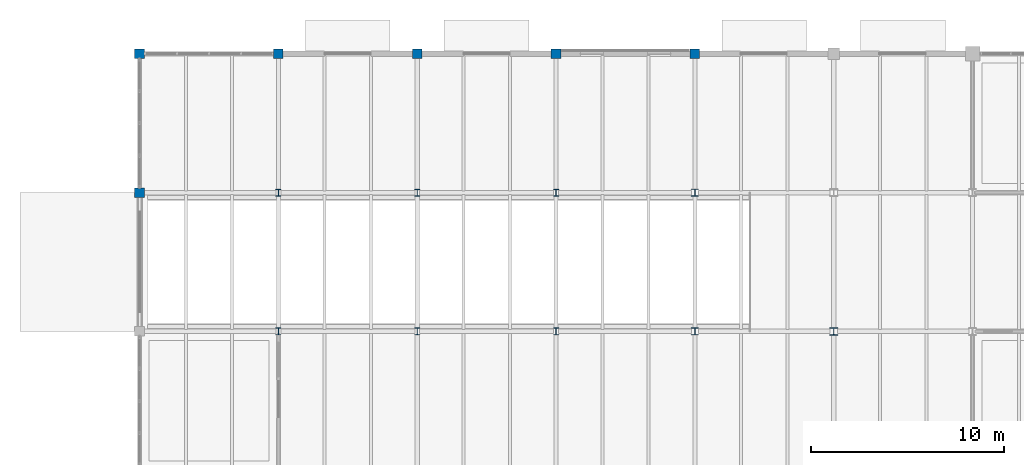
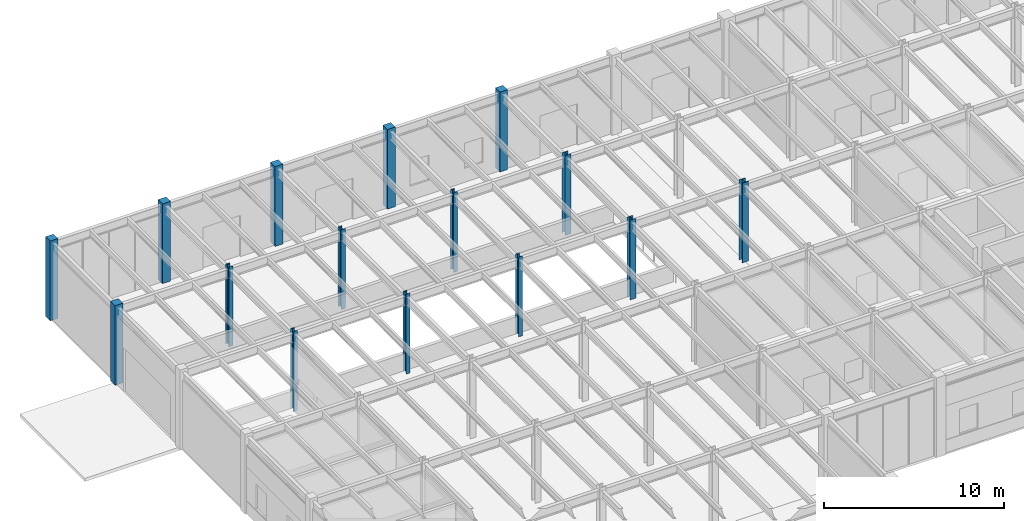
# One storey, part 11 of 97: 15 columns.
"""IFC4 building model written with IfcOpenShell, lengths in metres."""

from ifc_helpers import new_model, si_unit, direction, frame, origin, origin_2d, place, context, subcontext, project, spatial, rectangle, i_section, extrude, material, material_profile, profile_set, type_object, element, save


model = new_model("IFC4")

# Units and contexts
model_context = context("Model", 3, precision=1e-05, world=origin(), true_north=direction((0.0, 1.0)))
body_context = subcontext(model_context, "Body", "Model", "MODEL_VIEW")
ifc_project = project(units=[si_unit("LENGTHUNIT", "METRE"), si_unit("AREAUNIT", "SQUARE_METRE"), si_unit("VOLUMEUNIT", "CUBIC_METRE"), si_unit("PLANEANGLEUNIT", "RADIAN"), si_unit("MASSUNIT", "GRAM", prefix="KILO")], contexts=[model_context])

# Site, building, storey
site_placement = place(None, origin())
site = spatial("IfcSite", under=ifc_project, at=site_placement, CompositionType="ELEMENT")
building_placement = place(site_placement, origin())
building = spatial("IfcBuilding", under=site, at=building_placement, Name="Sillqori Civic Hall", CompositionType="ELEMENT")
storey_placement = place(building_placement, origin())
storey = spatial("IfcBuildingStorey", under=building, at=storey_placement, Name="L01", CompositionType="ELEMENT", Elevation=0.0)

# Columns
ifc_material_1 = material(Name="Concrete C35/45 (H35)", Category="concrete")
ifc_material_profile_1 = material_profile(ifc_material_1, rectangle(XDim=0.5, YDim=0.5, at=origin_2d()), Name="RC 500x500")
ifc_profile_set_1 = profile_set([ifc_material_profile_1], Name="Concrete C35/45 (H35)")
column_type_1 = type_object("IfcColumnType", Name="COL-RC500", PredefinedType="COLUMN", material=ifc_profile_set_1)
for number, where, z_axis, x_axis, name in (
    (1, (7.199951171875, 108.0, 0.0), (0.0, 0.0, 1.0), (1.0, 0.0, 0.0), "L01 column 1-15"),
    (2, (7.199951171875, 115.199951171875, 0.0), (0.0, 0.0, 1.0), (1.0, 0.0, 0.0), "L01 column 1-16"),
    (3, (14.39990234375, 115.199951171875, 0.0), (0.0, 0.0, 1.0), (1.0, 0.0, 0.0), "L01 column 2-16"),
    (4, (21.60009765625, 115.199951171875, 0.0), (0.0, 0.0, 1.0), (1.0, 0.0, 0.0), "L01 column 3-16"),
    (5, (28.800048828125, 115.199951171875, 0.0), (0.0, 0.0, 1.0), (1.0, 0.0, 0.0), "L01 column 4-16"),
    (6, (36.0, 115.199951171875, 0.0), (0.0, 0.0, 1.0), (1.0, 0.0, 0.0), "L01 column 5-16"),
):
    element("IfcColumn", number, at=place(storey_placement, frame(where, z_axis=z_axis, x_axis=x_axis)), inside=storey, type_object=column_type_1, Name=name, PredefinedType="COLUMN", context=body_context, shape_type="SweptSolid", body=[
        extrude(rectangle(XDim=0.5, YDim=0.5, at=origin_2d()), origin(), (0.0, 0.0, 1.0), 5.39990234375),
    ])
ifc_material_2 = material(Name="Steel ASTM A992", Category="steel")
ifc_material_profile_2 = material_profile(ifc_material_2, i_section(OverallWidth=0.39892578125, OverallDepth=0.385986328125, WebThickness=0.02099609375, FlangeThickness=0.033203125, FilletRadius=0.014892578125, at=origin_2d()), Name="W14X176")
ifc_profile_set_2 = profile_set([ifc_material_profile_2], Name="Steel ASTM A992")
column_type_2 = type_object("IfcColumnType", Name="COL-W14X176", PredefinedType="COLUMN", material=ifc_profile_set_2)
column_placement = place(storey_placement, frame((43.199951171875, 100.800048828125, 0.0), z_axis=(0.0, 0.0, 1.0), x_axis=(1.0, 0.0, 0.0)))
element("IfcColumn", 7, at=column_placement, inside=storey, type_object=column_type_2, Name="L01 column 6-14", PredefinedType="COLUMN", context=body_context, shape_type="SweptSolid", body=[
    extrude(i_section(OverallWidth=0.39892578125, OverallDepth=0.385986328125, WebThickness=0.02099609375, FlangeThickness=0.033203125, FilletRadius=0.014892578125, at=origin_2d()), origin(), (0.0, 0.0, 1.0), 5.39990234375),
])
ifc_material_profile_3 = material_profile(ifc_material_2, i_section(OverallWidth=0.257080078125, OverallDepth=0.363037109375, WebThickness=0.012939453125, FlangeThickness=0.021728515625, FilletRadius=0.014892578125, at=origin_2d()), Name="W14X82")
ifc_profile_set_3 = profile_set([ifc_material_profile_3], Name="Steel ASTM A992")
column_type_3 = type_object("IfcColumnType", Name="COL-W14X82", PredefinedType="COLUMN", material=ifc_profile_set_3)
for number, where, z_axis, x_axis, name in (
    (8, (14.39990234375, 100.800048828125, 0.0), (0.0, 0.0, 1.0), (1.0, 0.0, 0.0), "L01 column 2-14"),
    (9, (14.39990234375, 108.0, 0.0), (0.0, 0.0, 1.0), (1.0, 0.0, 0.0), "L01 column 2-15"),
    (10, (21.60009765625, 100.800048828125, 0.0), (0.0, 0.0, 1.0), (1.0, 0.0, 0.0), "L01 column 3-14"),
    (11, (21.60009765625, 108.0, 0.0), (0.0, 0.0, 1.0), (1.0, 0.0, 0.0), "L01 column 3-15"),
    (12, (28.800048828125, 100.800048828125, 0.0), (0.0, 0.0, 1.0), (1.0, 0.0, 0.0), "L01 column 4-14"),
    (13, (28.800048828125, 108.0, 0.0), (0.0, 0.0, 1.0), (1.0, 0.0, 0.0), "L01 column 4-15"),
):
    element("IfcColumn", number, at=place(storey_placement, frame(where, z_axis=z_axis, x_axis=x_axis)), inside=storey, type_object=column_type_3, Name=name, PredefinedType="COLUMN", context=body_context, shape_type="SweptSolid", body=[
        extrude(i_section(OverallWidth=0.257080078125, OverallDepth=0.363037109375, WebThickness=0.012939453125, FlangeThickness=0.021728515625, FilletRadius=0.014892578125, at=origin_2d()), origin(), (0.0, 0.0, 1.0), 5.39990234375),
    ])
ifc_material_profile_4 = material_profile(ifc_material_2, i_section(OverallWidth=0.37109375, OverallDepth=0.361083984375, WebThickness=0.012451171875, FlangeThickness=0.019775390625, FilletRadius=0.014892578125, at=origin_2d()), Name="W14X99")
ifc_profile_set_4 = profile_set([ifc_material_profile_4], Name="Steel ASTM A992")
column_type_4 = type_object("IfcColumnType", Name="COL-W14X99", PredefinedType="COLUMN", material=ifc_profile_set_4)
for number, where, z_axis, x_axis, name in (
    (14, (36.0, 100.800048828125, 0.0), (0.0, 0.0, 1.0), (1.0, 0.0, 0.0), "L01 column 5-14"),
    (15, (36.0, 108.0, 0.0), (0.0, 0.0, 1.0), (1.0, 0.0, 0.0), "L01 column 5-15"),
):
    element("IfcColumn", number, at=place(storey_placement, frame(where, z_axis=z_axis, x_axis=x_axis)), inside=storey, type_object=column_type_4, Name=name, PredefinedType="COLUMN", context=body_context, shape_type="SweptSolid", body=[
        extrude(i_section(OverallWidth=0.37109375, OverallDepth=0.361083984375, WebThickness=0.012451171875, FlangeThickness=0.019775390625, FilletRadius=0.014892578125, at=origin_2d()), origin(), (0.0, 0.0, 1.0), 5.39990234375),
    ])

save(model, "model.ifc")
